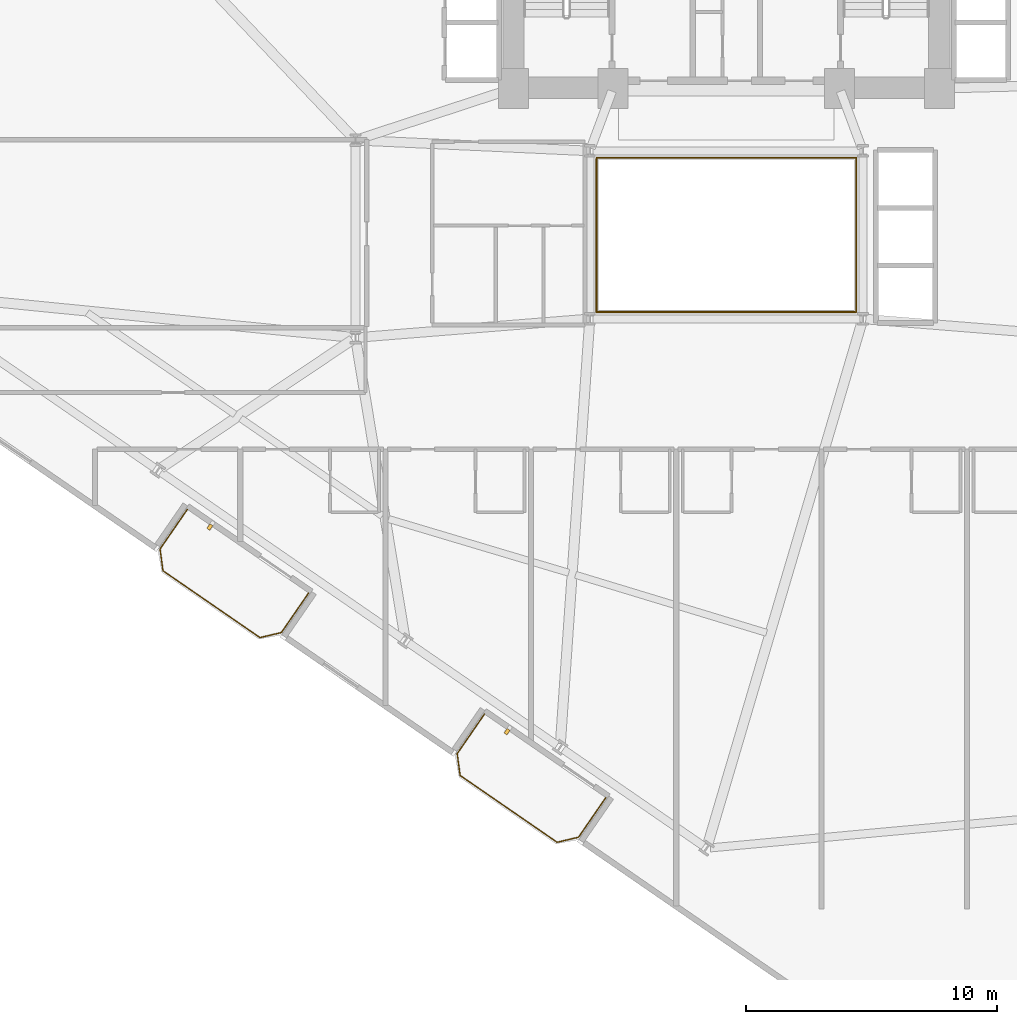
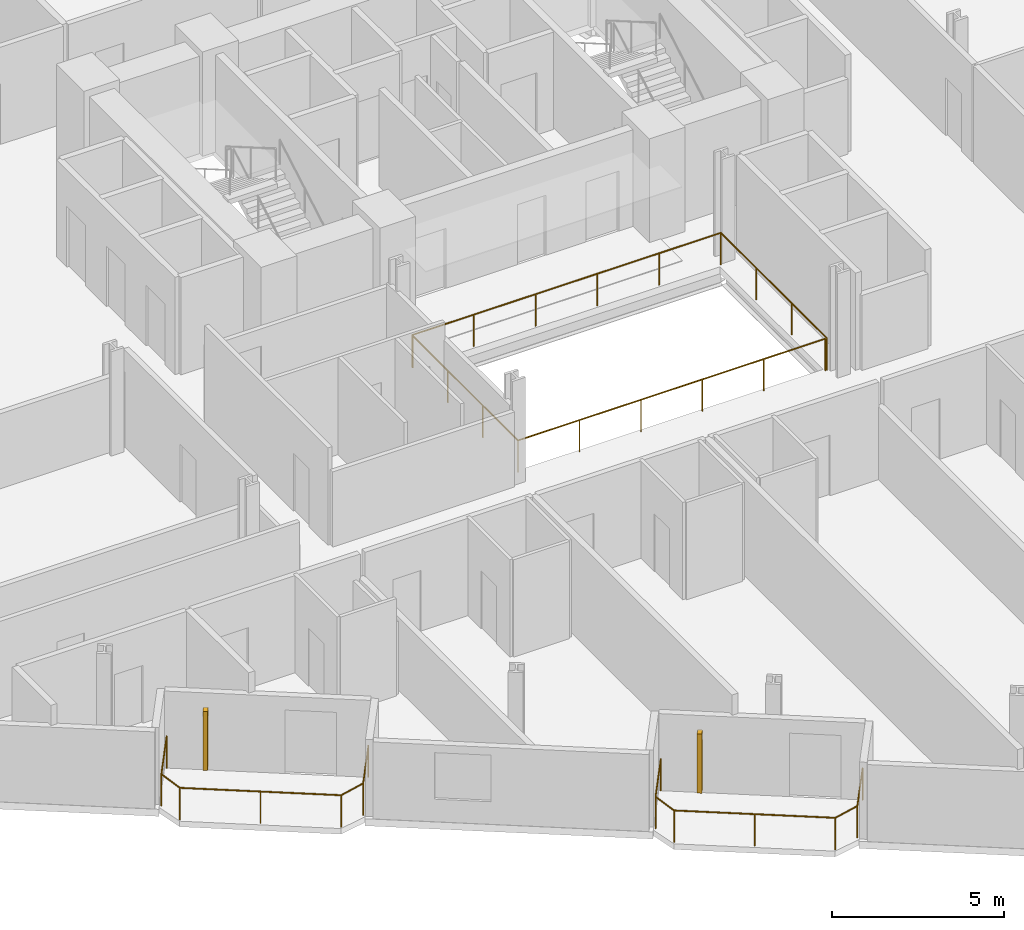
# One storey, part 23 of 25: 4 railings, 2 shading devices.
"""IFC4 building model written with IfcOpenShell, lengths in metres."""

from ifc_helpers import new_model, si_unit, direction, frame, origin, origin_2d, place, context, subcontext, project, spatial, rectangle, circle, extrude, source, transform, mapped, material, type_object, element, save


model = new_model("IFC4")

# Units and contexts
model_context = context("Model", 3, precision=1e-05, world=origin(), true_north=direction((0.0, 1.0)))
body_context = subcontext(model_context, "Body", "Model", "MODEL_VIEW")
ifc_project = project(units=[si_unit("LENGTHUNIT", "METRE"), si_unit("AREAUNIT", "SQUARE_METRE"), si_unit("VOLUMEUNIT", "CUBIC_METRE"), si_unit("PLANEANGLEUNIT", "RADIAN"), si_unit("MASSUNIT", "GRAM", prefix="KILO")], contexts=[model_context])

# Site, building, storey
site_placement = place(None, origin())
site = spatial("IfcSite", under=ifc_project, at=site_placement, CompositionType="ELEMENT")
building_placement = place(site_placement, origin())
building = spatial("IfcBuilding", under=site, at=building_placement, Name="Varnelok Gate Tower", CompositionType="ELEMENT")
storey_placement = place(building_placement, frame((0.0, 0.0, 64.0)))
storey = spatial("IfcBuildingStorey", under=building, at=storey_placement, Name="L15", CompositionType="ELEMENT", Elevation=64.0)

# Railings
ifc_material_1 = material(Name="Tempered Laminated Balustrade Glass", Category="glass")
railing_type_1 = type_object("IfcRailingType", Name="RL-ATR-GUARD1150", PredefinedType="GUARDRAIL", material=ifc_material_1)
railing_1_placement = place(storey_placement, frame((34.02001953125, 25.929931640625, 0.0)))
element("IfcRailing", 1, at=railing_1_placement, inside=storey, type_object=railing_type_1, Name="L15 Internal Atrium South-West Guardrail", PredefinedType="GUARDRAIL", context=body_context, shape_type="SweptSolid", body=[
    extrude(circle(Radius=0.02392578125, at=origin_2d()), frame((0.0, 0.0, 1.1259765625), z_axis=(0.0, -1.0, 0.0), x_axis=(1.0, 0.0, 0.0)), (0.0, 0.0, 1.0), 6.10986328125),
    extrude(circle(Radius=0.02392578125, at=origin_2d()), frame((0.0, -6.10986328125, 1.1259765625), z_axis=(1.0, 0.0, 0.0), x_axis=(0.0, 1.0, 0.0)), (0.0, 0.0, 1.0), 10.31005859375),
    extrude(circle(Radius=0.02099609375, at=origin_2d()), origin(), (0.0, 0.0, 1.0), 1.101806640625),
    extrude(circle(Radius=0.02099609375, at=origin_2d()), frame((0.0, -2.03662109375, 0.0)), (0.0, 0.0, 1.0), 1.101806640625),
    extrude(circle(Radius=0.02099609375, at=origin_2d()), frame((0.0, -4.0732421875, 0.0)), (0.0, 0.0, 1.0), 1.101806640625),
    extrude(circle(Radius=0.02099609375, at=origin_2d()), frame((0.0, -6.10986328125, 0.0)), (0.0, 0.0, 1.0), 1.101806640625),
    extrude(circle(Radius=0.02099609375, at=origin_2d()), frame((2.06201171875, -6.10986328125, 0.0)), (0.0, 0.0, 1.0), 1.101806640625),
    extrude(circle(Radius=0.02099609375, at=origin_2d()), frame((4.1240234375, -6.10986328125, 0.0)), (0.0, 0.0, 1.0), 1.101806640625),
    extrude(circle(Radius=0.02099609375, at=origin_2d()), frame((6.18603515625, -6.10986328125, 0.0)), (0.0, 0.0, 1.0), 1.101806640625),
    extrude(circle(Radius=0.02099609375, at=origin_2d()), frame((8.248046875, -6.10986328125, 0.0)), (0.0, 0.0, 1.0), 1.101806640625),
    extrude(circle(Radius=0.02099609375, at=origin_2d()), frame((10.31005859375, -6.10986328125, 0.0)), (0.0, 0.0, 1.0), 1.101806640625),
])
railing_2_placement = place(storey_placement, frame((44.3798828125, 19.820068359375, 0.0)))
element("IfcRailing", 2, at=railing_2_placement, inside=storey, type_object=railing_type_1, Name="L15 Internal Atrium North-East Guardrail", PredefinedType="GUARDRAIL", context=body_context, shape_type="SweptSolid", body=[
    extrude(circle(Radius=0.02392578125, at=origin_2d()), frame((0.0, 0.0, 1.1259765625), z_axis=(0.0, 1.0, 0.0), x_axis=(-1.0, 0.0, 0.0)), (0.0, 0.0, 1.0), 6.159912109375),
    extrude(circle(Radius=0.02392578125, at=origin_2d()), frame((0.0, 6.159912109375, 1.1259765625), z_axis=(-1.0, 0.0, 0.0), x_axis=(0.0, -1.0, 0.0)), (0.0, 0.0, 1.0), 10.35986328125),
    extrude(circle(Radius=0.02099609375, at=origin_2d()), origin(), (0.0, 0.0, 1.0), 1.101806640625),
    extrude(circle(Radius=0.02099609375, at=origin_2d()), frame((0.0, 2.05322265625, 0.0)), (0.0, 0.0, 1.0), 1.101806640625),
    extrude(circle(Radius=0.02099609375, at=origin_2d()), frame((0.0, 4.106689453125, 0.0)), (0.0, 0.0, 1.0), 1.101806640625),
    extrude(circle(Radius=0.02099609375, at=origin_2d()), frame((0.0, 6.159912109375, 0.0)), (0.0, 0.0, 1.0), 1.101806640625),
    extrude(circle(Radius=0.02099609375, at=origin_2d()), frame((-2.072021484375, 6.159912109375, 0.0)), (0.0, 0.0, 1.0), 1.101806640625),
    extrude(circle(Radius=0.02099609375, at=origin_2d()), frame((-4.14404296875, 6.159912109375, 0.0)), (0.0, 0.0, 1.0), 1.101806640625),
    extrude(circle(Radius=0.02099609375, at=origin_2d()), frame((-6.2158203125, 6.159912109375, 0.0)), (0.0, 0.0, 1.0), 1.101806640625),
    extrude(circle(Radius=0.02099609375, at=origin_2d()), frame((-8.287841796875, 6.159912109375, 0.0)), (0.0, 0.0, 1.0), 1.101806640625),
    extrude(circle(Radius=0.02099609375, at=origin_2d()), frame((-10.35986328125, 6.159912109375, 0.0)), (0.0, 0.0, 1.0), 1.101806640625),
])
ifc_material_2 = material(Name="Low-E Laminated Double Glazing IGU", Category="glass")
railing_type_2 = type_object("IfcRailingType", Name="RL-BALC-1150", PredefinedType="BALUSTRADE", material=ifc_material_2)
railing_3_placement = place(storey_placement, frame((17.688720703125, 11.9462890625, 0.0)))
element("IfcRailing", 3, at=railing_3_placement, inside=storey, type_object=railing_type_2, Name="L15 South Terrace Balustrade 1", PredefinedType="BALUSTRADE", context=body_context, shape_type="SweptSolid", body=[
    extrude(circle(Radius=0.02392578125, at=origin_2d()), frame((0.0, 0.0, 1.1259765625), z_axis=(-0.567224752248, -0.823563039747, 0.0), x_axis=(0.823563039747, -0.567224752248, 0.0)), (0.0, 0.0, 1.0), 1.920166015625),
    extrude(circle(Radius=0.02392578125, at=origin_2d()), frame((-1.089111328125, -1.581298828125, 1.1259765625), z_axis=(0.133511834152, -0.991047218926, 0.0), x_axis=(0.991047218926, 0.133511834152, 0.0)), (0.0, 0.0, 1.0), 0.877685546875),
    extrude(circle(Radius=0.02392578125, at=origin_2d()), frame((-0.971923828125, -2.451171875, 1.1259765625), z_axis=(0.823523239622, -0.567282534371, 0.0), x_axis=(0.567282534371, 0.823523239622, 0.0)), (0.0, 0.0, 1.0), 4.699951171875),
    extrude(circle(Radius=0.02392578125, at=origin_2d()), frame((2.898681640625, -5.117431640625, 1.1259765625), z_axis=(0.973573806257, 0.228372598553, 0.0), x_axis=(-0.228372598553, 0.973573806257, 0.0)), (0.0, 0.0, 1.0), 0.877685546875),
    extrude(circle(Radius=0.02392578125, at=origin_2d()), frame((3.753173828125, -4.9169921875, 1.1259765625), z_axis=(0.567224752248, 0.823563039747, 0.0), x_axis=(-0.823563039747, 0.567224752248, 0.0)), (0.0, 0.0, 1.0), 1.920166015625),
    extrude(circle(Radius=0.02099609375, at=origin_2d()), origin(), (0.0, 0.0, 1.0), 1.101806640625),
    extrude(circle(Radius=0.02099609375, at=origin_2d()), frame((-1.089111328125, -1.581298828125, 0.0)), (0.0, 0.0, 1.0), 1.101806640625),
    extrude(circle(Radius=0.02099609375, at=origin_2d()), frame((-0.971923828125, -2.451171875, 0.0)), (0.0, 0.0, 1.0), 1.101806640625),
    extrude(circle(Radius=0.02099609375, at=origin_2d()), frame((0.96337890625, -3.7841796875, 0.0)), (0.0, 0.0, 1.0), 1.101806640625),
    extrude(circle(Radius=0.02099609375, at=origin_2d()), frame((2.898681640625, -5.117431640625, 0.0)), (0.0, 0.0, 1.0), 1.101806640625),
    extrude(circle(Radius=0.02099609375, at=origin_2d()), frame((3.753173828125, -4.9169921875, 0.0)), (0.0, 0.0, 1.0), 1.101806640625),
    extrude(circle(Radius=0.02099609375, at=origin_2d()), frame((4.84228515625, -3.335693359375, 0.0)), (0.0, 0.0, 1.0), 1.101806640625),
])
railing_4_placement = place(storey_placement, frame((29.547607421875, 3.777587890625, 0.0)))
element("IfcRailing", 4, at=railing_4_placement, inside=storey, type_object=railing_type_2, Name="L15 South Terrace Balustrade 2", PredefinedType="BALUSTRADE", context=body_context, shape_type="SweptSolid", body=[
    extrude(circle(Radius=0.02392578125, at=origin_2d()), frame((0.0, 0.0, 1.1259765625), z_axis=(-0.567224752248, -0.823563039747, 0.0), x_axis=(0.823563039747, -0.567224752248, 0.0)), (0.0, 0.0, 1.0), 1.920166015625),
    extrude(circle(Radius=0.02392578125, at=origin_2d()), frame((-1.089111328125, -1.581298828125, 1.1259765625), z_axis=(0.133511834152, -0.991047218926, 0.0), x_axis=(0.991047218926, 0.133511834152, 0.0)), (0.0, 0.0, 1.0), 0.877685546875),
    extrude(circle(Radius=0.02392578125, at=origin_2d()), frame((-0.971923828125, -2.451171875, 1.1259765625), z_axis=(0.823523239622, -0.567282534371, 0.0), x_axis=(0.567282534371, 0.823523239622, 0.0)), (0.0, 0.0, 1.0), 4.699951171875),
    extrude(circle(Radius=0.02392578125, at=origin_2d()), frame((2.898681640625, -5.117431640625, 1.1259765625), z_axis=(0.973511928193, 0.228636229993, 0.0), x_axis=(-0.228636229993, 0.973511928193, 0.0)), (0.0, 0.0, 1.0), 0.877685546875),
    extrude(circle(Radius=0.02392578125, at=origin_2d()), frame((3.753173828125, -4.916748046875, 1.1259765625), z_axis=(0.567284155424, 0.82352212296, 0.0), x_axis=(-0.82352212296, 0.567284155424, 0.0)), (0.0, 0.0, 1.0), 1.919921875),
    extrude(circle(Radius=0.02099609375, at=origin_2d()), origin(), (0.0, 0.0, 1.0), 1.101806640625),
    extrude(circle(Radius=0.02099609375, at=origin_2d()), frame((-1.089111328125, -1.581298828125, 0.0)), (0.0, 0.0, 1.0), 1.101806640625),
    extrude(circle(Radius=0.02099609375, at=origin_2d()), frame((-0.971923828125, -2.451171875, 0.0)), (0.0, 0.0, 1.0), 1.101806640625),
    extrude(circle(Radius=0.02099609375, at=origin_2d()), frame((0.96337890625, -3.7841796875, 0.0)), (0.0, 0.0, 1.0), 1.101806640625),
    extrude(circle(Radius=0.02099609375, at=origin_2d()), frame((2.898681640625, -5.117431640625, 0.0)), (0.0, 0.0, 1.0), 1.101806640625),
    extrude(circle(Radius=0.02099609375, at=origin_2d()), frame((3.753173828125, -4.916748046875, 0.0)), (0.0, 0.0, 1.0), 1.101806640625),
    extrude(circle(Radius=0.02099609375, at=origin_2d()), frame((4.84228515625, -3.335693359375, 0.0)), (0.0, 0.0, 1.0), 1.101806640625),
])

# Shading devices
ifc_material_3 = material(Name="Glazed Architectural Terracotta Ceramic", Category="masonry")
shading_device_type = type_object("IfcShadingDeviceType", Name="SHD-TERRA-FIN", PredefinedType="USERDEFINED", material=ifc_material_3)
shared_shape = source(origin(), body_context, "Body", "SweptSolid", [
    extrude(rectangle(XDim=0.139892578125, YDim=0.219970703125, at=origin_2d()), origin(), (0.0, 0.0, 1.0), 2.10009765625),
])
for number, where, z_axis, x_axis, name in (
    (5, (18.587890625, 11.24169921875, 0.099853515625), (0.0, 0.0, 1.0), (0.823532597628, -0.567268949127, 0.0), "L15 Terracotta Ceramic Baguette Sunscreen 1.1"),
    (6, (30.44677734375, 3.072998046875, 0.099853515625), (0.0, 0.0, 1.0), (0.823532597628, -0.567268949127, 0.0), "L15 Terracotta Ceramic Baguette Sunscreen 2.1"),
):
    element("IfcShadingDevice", number, at=place(storey_placement, frame(where, z_axis=z_axis, x_axis=x_axis)), inside=storey, type_object=shading_device_type, Name=name, ObjectType="BAGUETTE", PredefinedType="USERDEFINED", context=body_context, shape_type="MappedRepresentation", body=[
        mapped(shared_shape, transform((0.0, 0.0, 0.0), scale=1.0)),
    ])

save(model, "model.ifc")
